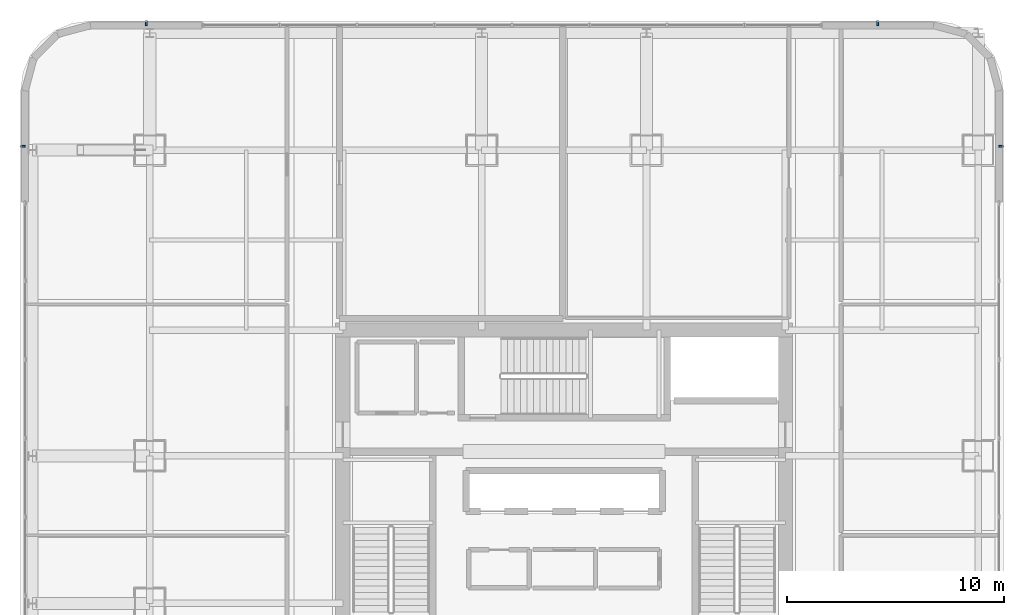
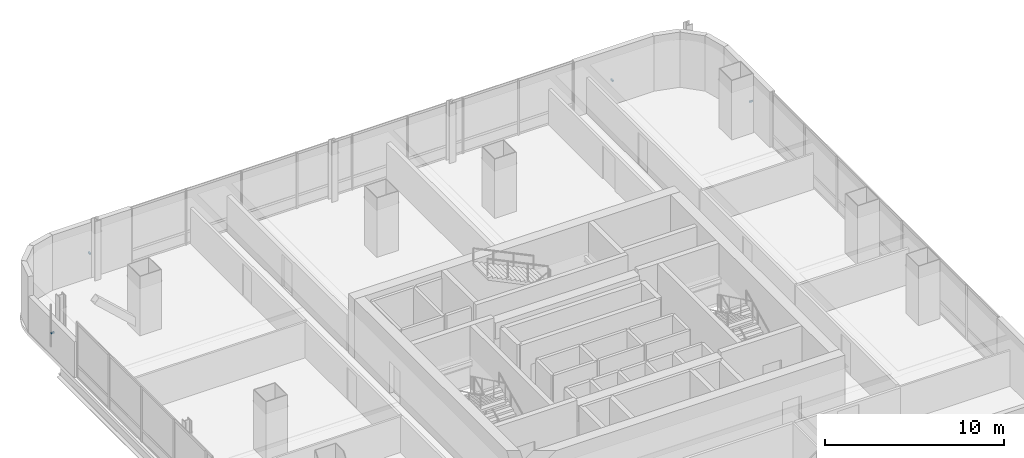
# One storey, part 37 of 47: 4 discrete accessories.
"""IFC4 building model written with IfcOpenShell, lengths in metres."""

import ifcopenshell
import ifcopenshell.guid

model = None  # the IFC model being written
_history = None  # IfcOwnerHistory: only IFC2X3 demands one
_inside = {}  # id of a spatial element -> (the spatial element, [elements in it])
_under = {}  # id of a project, library or spatial element -> (it, [spatial elements below it])
_declared = {}  # id of a project -> (the project, [libraries it declares])
_typed = {}  # id of a type object -> (the type object, [elements of that type])
_made_of = {}  # id of a material, layer set ... -> (it, [elements and type objects made of it])


def new_model(schema):
    """Start an empty IFC model of exactly this schema.

    Asked for "IFC4X3", IfcOpenShell would pick the latest addendum, in which some entities
    have other attributes; the version numbers below select the first issue.
    IFC2X3 requires an IfcOwnerHistory on every rooted entity: one is made here for all.
    """
    global model, _history
    if schema == "IFC4X3":
        model = ifcopenshell.file(schema_version=(4, 3, 0, 0))
    else:
        model = ifcopenshell.file(schema=schema)
    _inside.clear()
    _under.clear()
    _declared.clear()
    _typed.clear()
    _made_of.clear()
    _history = None
    if model.schema == "IFC2X3":
        org = make("IfcOrganization", Name="unknown")
        user = make(
            "IfcPersonAndOrganization",
            ThePerson=make("IfcPerson", FamilyName="unknown"),
            TheOrganization=org,
        )
        app = make(
            "IfcApplication",
            ApplicationDeveloper=org,
            Version="unknown",
            ApplicationFullName="unknown",
            ApplicationIdentifier="unknown",
        )
        _history = make(
            "IfcOwnerHistory",
            OwningUser=user,
            OwningApplication=app,
            ChangeAction="ADDED",
            CreationDate=0,
        )
    return model


def make(cls, **values):
    """One entity of the class cls with the attributes given. An attribute that is None is left unset."""
    return model.create_entity(
        cls, **{name: value for name, value in values.items() if value is not None}
    )


def rooted(cls, **values):
    """An entity with a GlobalId (a new one), such as an element, a storey or a relation."""
    return make(cls, GlobalId=ifcopenshell.guid.new(), OwnerHistory=_history, **values)


def si_unit(unit_type, name, prefix=None):
    """IfcSIUnit, for example si_unit("LENGTHUNIT", "METRE", prefix="MILLI")."""
    return make("IfcSIUnit", UnitType=unit_type, Prefix=prefix, Name=name)


def assignment(units):
    """IfcUnitAssignment: the units of a project."""
    return None if units is None else make("IfcUnitAssignment", Units=units)


def point(xyz):
    """IfcCartesianPoint."""
    return None if xyz is None else make("IfcCartesianPoint", Coordinates=xyz)


def direction(xyz):
    """IfcDirection."""
    return None if xyz is None else make("IfcDirection", DirectionRatios=xyz)


def frame(location, z_axis=None, x_axis=None):
    """IfcAxis2Placement3D, a coordinate frame: its origin and axes. An axis left out is left unset."""
    return make(
        "IfcAxis2Placement3D",
        Location=point(location),
        Axis=direction(z_axis),
        RefDirection=direction(x_axis),
    )


def frame_2d(location, x_axis=None):
    """IfcAxis2Placement2D, a coordinate frame in the plane: its origin and x axis."""
    return make(
        "IfcAxis2Placement2D", Location=point(location), RefDirection=direction(x_axis)
    )


def origin():
    """The frame at (0, 0, 0) with its axes left unset."""
    return frame((0.0, 0.0, 0.0))


def origin_2d():
    """The frame at (0, 0) in the plane with its x axis left unset."""
    return frame_2d((0.0, 0.0))


def place(relative_to, where):
    """IfcLocalPlacement: puts the frame where relative to a parent placement (None: the world)."""
    return make(
        "IfcLocalPlacement", PlacementRelTo=relative_to, RelativePlacement=where
    )


def context(
    kind, dimensions, precision=None, world=None, true_north=None, identifier=None
):
    """IfcGeometricRepresentationContext, for example the 3D "Model" context."""
    return make(
        "IfcGeometricRepresentationContext",
        ContextIdentifier=identifier,
        ContextType=kind,
        CoordinateSpaceDimension=dimensions,
        Precision=precision,
        WorldCoordinateSystem=world,
        TrueNorth=true_north,
    )


def subcontext(parent, identifier, kind, view, scale=None):
    """IfcGeometricRepresentationSubContext, for example "Body" below "Model"."""
    return make(
        "IfcGeometricRepresentationSubContext",
        ContextIdentifier=identifier,
        ContextType=kind,
        ParentContext=parent,
        TargetScale=scale,
        TargetView=view,
    )


def project(units=None, contexts=None):
    """IfcProject with its units and contexts."""
    return rooted(
        "IfcProject",
        Name="project",
        RepresentationContexts=contexts,
        UnitsInContext=assignment(units),
    )


def spatial(cls, under=None, at=None, **own):
    """A site, building, storey or space (cls), placed at a placement, below another one or the project."""
    s = rooted(cls, ObjectPlacement=at, **own)
    if under is not None:
        _under.setdefault(under.id(), (under, []))[1].append(s)
    return s


def profile(cls, at=None, kind="AREA", **sizes):
    """A parametric profile (cls). Its sizes go by their IFC names, for example OverallWidth=200.0."""
    return make(cls, ProfileType=kind, Position=at, **sizes)


def rectangle(**sizes):
    """IfcRectangleProfileDef."""
    return profile("IfcRectangleProfileDef", **sizes)


def extrude(swept, where, along, depth):
    """IfcExtrudedAreaSolid: the profile swept, set in the frame where, extruded along a direction by depth."""
    return make(
        "IfcExtrudedAreaSolid",
        SweptArea=swept,
        Position=where,
        ExtrudedDirection=direction(along),
        Depth=depth,
    )


def shape(context_of_items, identifier, shape_type, items):
    """IfcShapeRepresentation: the items that make up one representation, for example the "Body"."""
    return make(
        "IfcShapeRepresentation",
        ContextOfItems=context_of_items,
        RepresentationIdentifier=identifier,
        RepresentationType=shape_type,
        Items=items,
    )


def material(Name=None, Category=None):
    """IfcMaterial."""
    return make("IfcMaterial", Name=Name, Category=Category)


def made_of(thing, what):
    """Note that an element or type object is made of a material, layer set ...; save() writes the relation."""
    if what is not None:
        _made_of.setdefault(what.id(), (what, []))[1].append(thing)
    return thing


def type_object(cls, material=None, **own):
    """A type object (cls), such as IfcWallType, which elements share."""
    return made_of(rooted(cls, **own), material)


def element(
    cls,
    number,
    at=None,
    inside=None,
    cuts=None,
    type_object=None,
    material=None,
    context=None,
    identifier="Body",
    shape_type=None,
    held_by="IfcProductDefinitionShape",
    body=None,
    shapes=None,
    **own,
):
    """One element of the class cls, such as IfcWall. Its Tag is "e" and its number.

    at: its placement. inside: the storey or other place that contains it. cuts: it is an
    opening in that element (IfcRelVoidsElement). A single representation is given by context,
    identifier, shape_type and body (its items); several are given by shapes. held_by: the class
    of the entity that holds the representations. save() writes the other relations.
    """
    e = rooted(cls, Tag="e%d" % number, ObjectPlacement=at, **own)
    if body is not None:
        shapes = [shape(context, identifier, shape_type, body)]
    if shapes is not None:
        e.Representation = make(held_by, Representations=shapes)
    if inside is not None:
        _inside.setdefault(inside.id(), (inside, []))[1].append(e)
    if cuts is not None:
        rooted(
            "IfcRelVoidsElement", RelatingBuildingElement=cuts, RelatedOpeningElement=e
        )
    if type_object is not None:
        _typed.setdefault(type_object.id(), (type_object, []))[1].append(e)
    return made_of(e, material)


def aggregate(whole, parts):
    """IfcRelAggregates: a whole, such as a stair, and the parts it consists of."""
    return rooted("IfcRelAggregates", RelatingObject=whole, RelatedObjects=parts)


def save(model, path):
    """Write the relations noted so far, then the file.

    IfcRelAggregates (storeys below a building ...), IfcRelContainedInSpatialStructure (elements
    in a storey), IfcRelDefinesByType, IfcRelAssociatesMaterial and IfcRelDeclares: one each for
    every whole, place, type object, material and project.
    """
    for whole, parts in _under.values():
        aggregate(whole, parts)
    for where, things in _inside.values():
        rooted(
            "IfcRelContainedInSpatialStructure",
            RelatedElements=things,
            RelatingStructure=where,
        )
    for kind, things in _typed.values():
        rooted("IfcRelDefinesByType", RelatedObjects=things, RelatingType=kind)
    for what, things in _made_of.values():
        rooted("IfcRelAssociatesMaterial", RelatedObjects=things, RelatingMaterial=what)
    for by, libraries in _declared.values():
        rooted("IfcRelDeclares", RelatingContext=by, RelatedDefinitions=libraries)
    model.write(path)


model = new_model("IFC4")

# Units and contexts
model_context = context("Model", 3, precision=1e-05, world=origin(), true_north=direction((0.0, 1.0)))
body_context = subcontext(model_context, "Body", "Model", "MODEL_VIEW")
ifc_project = project(units=[si_unit("LENGTHUNIT", "METRE"), si_unit("AREAUNIT", "SQUARE_METRE"), si_unit("VOLUMEUNIT", "CUBIC_METRE"), si_unit("PLANEANGLEUNIT", "RADIAN"), si_unit("MASSUNIT", "GRAM", prefix="KILO")], contexts=[model_context])

# Site, building, storey
site_placement = place(None, origin())
site = spatial("IfcSite", under=ifc_project, at=site_placement, CompositionType="ELEMENT")
building_placement = place(site_placement, origin())
building = spatial("IfcBuilding", under=site, at=building_placement, Name="Punatoya Terracotta Tower", CompositionType="ELEMENT")
storey_placement = place(building_placement, frame((0.0, 0.0, 168.14990234375)))
storey = spatial("IfcBuildingStorey", under=building, at=storey_placement, Name="L39", CompositionType="ELEMENT", Elevation=168.14990234375)

# Discrete accessories
ifc_material = material(Name="Steel S355", Category="steel")
discrete_accessory_type = type_object("IfcDiscreteAccessoryType", Name="ACC-BRK-220", PredefinedType="BRACKET", material=ifc_material)
for number, where, z_axis, x_axis, name in (
    (1, (20.14990234375, 17.66845703125, 1.449951171875), (0.0, 0.0, 1.0), (0.0, 1.0, 0.0), "L39 Jali Fin Support Bracket E2"),
    (2, (14.468505859375, 23.35009765625, 1.449951171875), (0.0, 0.0, 1.0), (-1.0, 0.0, 0.0), "L39 Jali Fin Support Bracket N1"),
    (3, (-19.2685546875, 23.35009765625, 1.449951171875), (0.0, 0.0, 1.0), (-1.0, 0.0, 0.0), "L39 Jali Fin Support Bracket N2"),
    (4, (-24.949951171875, 17.66845703125, 1.449951171875), (0.0, 0.0, 1.0), (0.0, -1.0, 0.0), "L39 Jali Fin Support Bracket W1"),
):
    element("IfcDiscreteAccessory", number, at=place(storey_placement, frame(where, z_axis=z_axis, x_axis=x_axis)), inside=storey, type_object=discrete_accessory_type, Name=name, PredefinedType="BRACKET", context=body_context, shape_type="SweptSolid", body=[
        extrude(rectangle(XDim=0.090087890625, YDim=0.219970703125, at=origin_2d()), origin(), (0.0, 0.0, 1.0), 0.10009765625),
    ])

save(model, "model.ifc")
